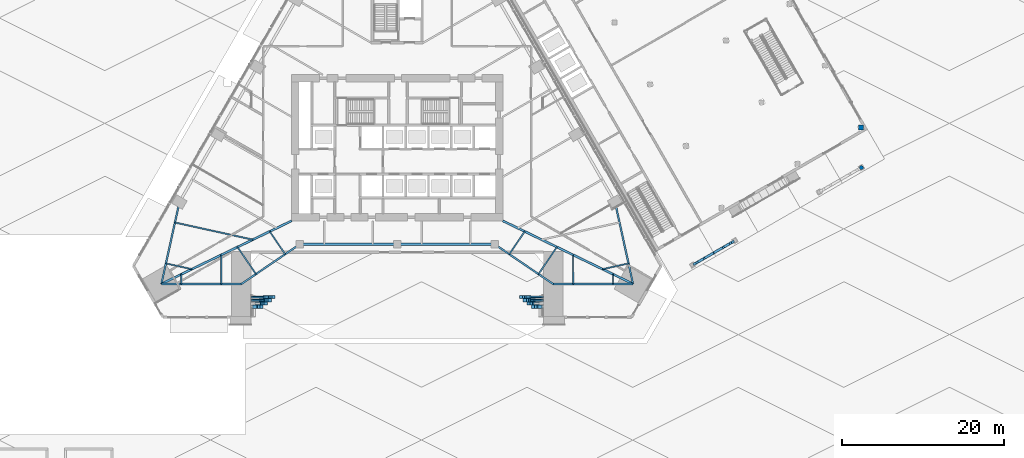
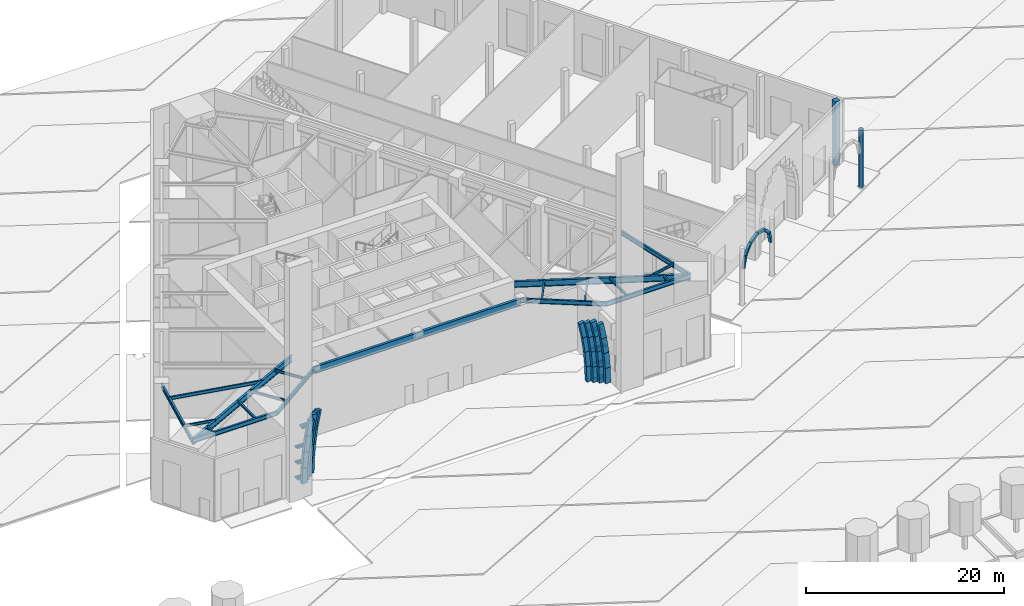
# One storey, part 4 of 34: 38 members, 36 beams, 2 columns.
"""IFC4 building model written with IfcOpenShell, lengths in metres."""

from ifc_helpers import new_model, si_unit, direction, frame, origin, origin_2d, place, context, subcontext, project, spatial, rectangle, circle, i_section, extrude, material, material_profile, profile_set, type_object, element, save


model = new_model("IFC4")

# Units and contexts
model_context = context("Model", 3, precision=1e-05, world=origin(), true_north=direction((0.0, 1.0)))
body_context = subcontext(model_context, "Body", "Model", "MODEL_VIEW")
ifc_project = project(units=[si_unit("LENGTHUNIT", "METRE"), si_unit("AREAUNIT", "SQUARE_METRE"), si_unit("VOLUMEUNIT", "CUBIC_METRE"), si_unit("PLANEANGLEUNIT", "RADIAN"), si_unit("MASSUNIT", "GRAM", prefix="KILO")], contexts=[model_context])

# Site, building, storey
site_placement = place(None, origin())
site = spatial("IfcSite", under=ifc_project, at=site_placement, CompositionType="ELEMENT")
building_placement = place(site_placement, origin())
building = spatial("IfcBuilding", under=site, at=building_placement, Name="Firuza Gate Tower and Library", CompositionType="ELEMENT")
storey_placement = place(building_placement, origin())
storey = spatial("IfcBuildingStorey", under=building, at=storey_placement, Name="L00", CompositionType="ELEMENT", Elevation=0.0)

# Columns
ifc_material_1 = material(Name="Concrete C40/50", Category="concrete")
ifc_material_profile_1 = material_profile(ifc_material_1, circle(Radius=0.25, at=origin_2d()))
ifc_profile_set_1 = profile_set([ifc_material_profile_1], Name="Concrete C40/50")
column_type_1 = type_object("IfcColumnType", Name="LIB ARCADE COLUMN D500", PredefinedType="COLUMN", material=ifc_profile_set_1)
column_1_placement = place(storey_placement, frame((132.165771484375, 72.555419921875, -0.300048828125), z_axis=(0.0, 0.0, 1.0), x_axis=(1.0, 0.0, 0.0)))
element("IfcColumn", 1, at=column_1_placement, inside=storey, type_object=column_type_1, Name="Arcade column 4", PredefinedType="COLUMN", context=body_context, shape_type="SweptSolid", body=[
    extrude(circle(Radius=0.25, at=origin_2d()), origin(), (0.0, 0.0, 1.0), 7.300048828125),
])
ifc_material_2 = material(Name="Concrete C40/50", Category="concrete")
ifc_material_profile_2 = material_profile(ifc_material_2, rectangle(XDim=0.60009765625, YDim=0.60009765625, at=origin_2d()))
ifc_profile_set_2 = profile_set([ifc_material_profile_2], Name="Concrete C40/50")
column_type_2 = type_object("IfcColumnType", Name="LIB COLUMN 600", PredefinedType="COLUMN", material=ifc_profile_set_2)
column_2_placement = place(storey_placement, frame((132.09423828125, 77.479248046875, -0.300048828125), z_axis=(0.0, 0.0, 1.0), x_axis=(1.0, 0.0, 0.0)))
element("IfcColumn", 2, at=column_2_placement, inside=storey, type_object=column_type_2, Name="Library column 1C", PredefinedType="COLUMN", context=body_context, shape_type="SweptSolid", body=[
    extrude(rectangle(XDim=0.60009765625, YDim=0.60009765625, at=origin_2d()), origin(), (0.0, 0.0, 1.0), 7.93994140625),
])

# Members
ifc_material_3 = material(Name="Concrete C60/75", Category="concrete")
ifc_material_profile_3 = material_profile(ifc_material_3, rectangle(XDim=0.39990234375, YDim=0.60009765625, at=origin_2d()))
ifc_profile_set_3 = profile_set([ifc_material_profile_3], Name="Concrete C60/75")
member_type_1 = type_object("IfcMemberType", Name="Arch rib 600x400", PredefinedType="USERDEFINED", material=ifc_profile_set_3)
member_1_placement = place(storey_placement, frame((57.300048828125, 55.415283203125, 0.0), z_axis=(0.028245981535, 0.0, 0.999601002664), x_axis=(0.0, 1.0, 0.0)))
element("IfcMember", 3, at=member_1_placement, inside=storey, type_object=member_type_1, Name="Arch rib 1.1", ObjectType="ARCH RIB", PredefinedType="USERDEFINED", context=body_context, shape_type="SweptSolid", body=[
    extrude(rectangle(XDim=0.39990234375, YDim=0.60009765625, at=origin_2d()), origin(), (0.0, 0.0, 1.0), 1.91015625),
])
member_2_placement = place(storey_placement, frame((57.35400390625, 55.415283203125, 1.909423828125), z_axis=(0.084748527605, 0.0, 0.996402372071), x_axis=(0.0, 1.0, 0.0)))
element("IfcMember", 4, at=member_2_placement, inside=storey, type_object=member_type_1, Name="Arch rib 1.2", ObjectType="ARCH RIB", PredefinedType="USERDEFINED", context=body_context, shape_type="SweptSolid", body=[
    extrude(rectangle(XDim=0.39990234375, YDim=0.60009765625, at=origin_2d()), origin(), (0.0, 0.0, 1.0), 1.909912109375),
])
for number, where, z_axis, x_axis, name in (
    (5, (57.515869140625, 55.415283203125, 3.8125), (0.140974008137, 0.0, 0.9900132974), (0.0, 1.0, 0.0), "Arch rib 1.3"),
    (6, (57.78515625, 55.415283203125, 5.70361328125), (0.196706011214, 0.0, 0.980462515934), (0.0, 1.0, 0.0), "Arch rib 1.4"),
    (7, (91.839111328125, 55.415283203125, 7.576416015625), (0.196706011214, 0.0, -0.980462515934), (0.0, 1.0, 0.0), "Arch rib 1.35"),
    (8, (92.21484375, 55.415283203125, 5.70361328125), (0.140974008137, 0.0, -0.9900132974), (0.0, 1.0, 0.0), "Arch rib 1.36"),
):
    element("IfcMember", number, at=place(storey_placement, frame(where, z_axis=z_axis, x_axis=x_axis)), inside=storey, type_object=member_type_1, Name=name, ObjectType="ARCH RIB", PredefinedType="USERDEFINED", context=body_context, shape_type="SweptSolid", body=[
        extrude(rectangle(XDim=0.39990234375, YDim=0.60009765625, at=origin_2d()), origin(), (0.0, 0.0, 1.0), 1.91015625),
    ])
member_3_placement = place(storey_placement, frame((92.484130859375, 55.415283203125, 3.8125), z_axis=(0.084748527605, 0.0, -0.996402372071), x_axis=(0.0, 1.0, 0.0)))
element("IfcMember", 9, at=member_3_placement, inside=storey, type_object=member_type_1, Name="Arch rib 1.37", ObjectType="ARCH RIB", PredefinedType="USERDEFINED", context=body_context, shape_type="SweptSolid", body=[
    extrude(rectangle(XDim=0.39990234375, YDim=0.60009765625, at=origin_2d()), origin(), (0.0, 0.0, 1.0), 1.909912109375),
])
member_4_placement = place(storey_placement, frame((92.64599609375, 55.415283203125, 1.909423828125), z_axis=(0.028245981535, 0.0, -0.999601002664), x_axis=(0.0, 1.0, 0.0)))
element("IfcMember", 10, at=member_4_placement, inside=storey, type_object=member_type_1, Name="Arch rib 1.38", ObjectType="ARCH RIB", PredefinedType="USERDEFINED", context=body_context, shape_type="SweptSolid", body=[
    extrude(rectangle(XDim=0.39990234375, YDim=0.60009765625, at=origin_2d()), origin(), (0.0, 0.0, 1.0), 1.91015625),
])
member_5_placement = place(storey_placement, frame((57.800048828125, 55.8154296875, 0.0), z_axis=(0.029551659795, 0.0, 0.999563254328), x_axis=(0.0, 1.0, 0.0)))
element("IfcMember", 11, at=member_5_placement, inside=storey, type_object=member_type_1, Name="Arch rib 2.1", ObjectType="ARCH RIB", PredefinedType="USERDEFINED", context=body_context, shape_type="SweptSolid", body=[
    extrude(rectangle(XDim=0.39990234375, YDim=0.60009765625, at=origin_2d()), origin(), (0.0, 0.0, 1.0), 1.974609375),
])
for number, where, z_axis, x_axis, name in (
    (12, (57.8583984375, 55.8154296875, 1.9736328125), (0.088539790284, 0.0, 0.996072640693), (0.0, 1.0, 0.0), "Arch rib 2.2"),
    (13, (58.033203125, 55.8154296875, 3.940185546875), (0.147391089325, 0.0, 0.989078291536), (0.0, 1.0, 0.0), "Arch rib 2.3"),
    (14, (58.32421875, 55.8154296875, 5.89306640625), (0.205524340546, 0.0, 0.978652004261), (0.0, 1.0, 0.0), "Arch rib 2.4"),
    (15, (91.27001953125, 55.8154296875, 7.8251953125), (0.205524340546, 0.0, -0.978652004261), (0.0, 1.0, 0.0), "Arch rib 2.33"),
    (16, (91.67578125, 55.8154296875, 5.89306640625), (0.147391089325, 0.0, -0.989078291536), (0.0, 1.0, 0.0), "Arch rib 2.34"),
    (17, (91.966796875, 55.8154296875, 3.940185546875), (0.088539790284, 0.0, -0.996072640693), (0.0, 1.0, 0.0), "Arch rib 2.35"),
):
    element("IfcMember", number, at=place(storey_placement, frame(where, z_axis=z_axis, x_axis=x_axis)), inside=storey, type_object=member_type_1, Name=name, ObjectType="ARCH RIB", PredefinedType="USERDEFINED", context=body_context, shape_type="SweptSolid", body=[
        extrude(rectangle(XDim=0.39990234375, YDim=0.60009765625, at=origin_2d()), origin(), (0.0, 0.0, 1.0), 1.974365234375),
    ])
member_6_placement = place(storey_placement, frame((92.1416015625, 55.8154296875, 1.9736328125), z_axis=(0.029551659795, 0.0, -0.999563254328), x_axis=(0.0, 1.0, 0.0)))
element("IfcMember", 18, at=member_6_placement, inside=storey, type_object=member_type_1, Name="Arch rib 2.36", ObjectType="ARCH RIB", PredefinedType="USERDEFINED", context=body_context, shape_type="SweptSolid", body=[
    extrude(rectangle(XDim=0.39990234375, YDim=0.60009765625, at=origin_2d()), origin(), (0.0, 0.0, 1.0), 1.974609375),
])
for number, where, z_axis, x_axis, name in (
    (19, (58.300048828125, 56.21533203125, 0.0), (0.029306249371, 0.0, 0.99957047963), (0.0, 1.0, 0.0), "Arch rib 3.1"),
    (20, (58.356689453125, 56.21533203125, 1.931884765625), (0.087665241448, 0.0, 0.996149991438), (0.0, 1.0, 0.0), "Arch rib 3.2"),
    (21, (58.526123046875, 56.21533203125, 3.857177734375), (0.145912228086, 0.0, 0.989297539517), (0.0, 1.0, 0.0), "Arch rib 3.3"),
):
    element("IfcMember", number, at=place(storey_placement, frame(where, z_axis=z_axis, x_axis=x_axis)), inside=storey, type_object=member_type_1, Name=name, ObjectType="ARCH RIB", PredefinedType="USERDEFINED", context=body_context, shape_type="SweptSolid", body=[
        extrude(rectangle(XDim=0.39990234375, YDim=0.60009765625, at=origin_2d()), origin(), (0.0, 0.0, 1.0), 1.9326171875),
    ])
for number, where, z_axis, x_axis, name in (
    (22, (58.80810546875, 56.21533203125, 5.76904296875), (0.203495206201, 0.0, 0.979075942434), (0.0, 1.0, 0.0), "Arch rib 3.4"),
    (23, (90.798583984375, 56.21533203125, 7.661376953125), (0.203495206201, 0.0, -0.979075942434), (0.0, 1.0, 0.0), "Arch rib 3.33"),
):
    element("IfcMember", number, at=place(storey_placement, frame(where, z_axis=z_axis, x_axis=x_axis)), inside=storey, type_object=member_type_1, Name=name, ObjectType="ARCH RIB", PredefinedType="USERDEFINED", context=body_context, shape_type="SweptSolid", body=[
        extrude(rectangle(XDim=0.39990234375, YDim=0.60009765625, at=origin_2d()), origin(), (0.0, 0.0, 1.0), 1.932861328125),
    ])
for number, where, z_axis, x_axis, name in (
    (24, (91.19189453125, 56.21533203125, 5.76904296875), (0.145912228086, 0.0, -0.989297539517), (0.0, 1.0, 0.0), "Arch rib 3.34"),
    (25, (91.473876953125, 56.21533203125, 3.857177734375), (0.087665241448, 0.0, -0.996149991438), (0.0, 1.0, 0.0), "Arch rib 3.35"),
    (26, (91.643310546875, 56.21533203125, 1.931884765625), (0.029306249371, 0.0, -0.99957047963), (0.0, 1.0, 0.0), "Arch rib 3.36"),
):
    element("IfcMember", number, at=place(storey_placement, frame(where, z_axis=z_axis, x_axis=x_axis)), inside=storey, type_object=member_type_1, Name=name, ObjectType="ARCH RIB", PredefinedType="USERDEFINED", context=body_context, shape_type="SweptSolid", body=[
        extrude(rectangle(XDim=0.39990234375, YDim=0.60009765625, at=origin_2d()), origin(), (0.0, 0.0, 1.0), 1.9326171875),
    ])
member_7_placement = place(storey_placement, frame((58.800048828125, 56.615478515625, 0.0), z_axis=(0.028917257541, 0.0, 0.999581808666), x_axis=(0.0, 1.0, 0.0)))
element("IfcMember", 27, at=member_7_placement, inside=storey, type_object=member_type_1, Name="Arch rib 4.1", ObjectType="ARCH RIB", PredefinedType="USERDEFINED", context=body_context, shape_type="SweptSolid", body=[
    extrude(rectangle(XDim=0.39990234375, YDim=0.60009765625, at=origin_2d()), origin(), (0.0, 0.0, 1.0), 1.89111328125),
])
member_8_placement = place(storey_placement, frame((58.854736328125, 56.615478515625, 1.890380859375), z_axis=(0.086763330178, 0.0, 0.996228951866), x_axis=(0.0, 1.0, 0.0)))
element("IfcMember", 28, at=member_8_placement, inside=storey, type_object=member_type_1, Name="Arch rib 4.2", ObjectType="ARCH RIB", PredefinedType="USERDEFINED", context=body_context, shape_type="SweptSolid", body=[
    extrude(rectangle(XDim=0.39990234375, YDim=0.60009765625, at=origin_2d()), origin(), (0.0, 0.0, 1.0), 1.890869140625),
])
for number, where, z_axis, x_axis, name in (
    (29, (59.018798828125, 56.615478515625, 3.774169921875), (0.144330594671, 0.0, 0.98952952429), (0.0, 1.0, 0.0), "Arch rib 4.3"),
    (30, (59.291748046875, 56.615478515625, 5.6455078125), (0.20140156385, 0.0, 0.979508759572), (0.0, 1.0, 0.0), "Arch rib 4.4"),
    (31, (90.327392578125, 56.615478515625, 7.497802734375), (0.20140156385, 0.0, -0.979508759572), (0.0, 1.0, 0.0), "Arch rib 4.33"),
    (32, (90.708251953125, 56.615478515625, 5.6455078125), (0.144330594671, 0.0, -0.98952952429), (0.0, 1.0, 0.0), "Arch rib 4.34"),
):
    element("IfcMember", number, at=place(storey_placement, frame(where, z_axis=z_axis, x_axis=x_axis)), inside=storey, type_object=member_type_1, Name=name, ObjectType="ARCH RIB", PredefinedType="USERDEFINED", context=body_context, shape_type="SweptSolid", body=[
        extrude(rectangle(XDim=0.39990234375, YDim=0.60009765625, at=origin_2d()), origin(), (0.0, 0.0, 1.0), 1.89111328125),
    ])
member_9_placement = place(storey_placement, frame((90.981201171875, 56.615478515625, 3.774169921875), z_axis=(0.086763330178, 0.0, -0.996228951866), x_axis=(0.0, 1.0, 0.0)))
element("IfcMember", 33, at=member_9_placement, inside=storey, type_object=member_type_1, Name="Arch rib 4.35", ObjectType="ARCH RIB", PredefinedType="USERDEFINED", context=body_context, shape_type="SweptSolid", body=[
    extrude(rectangle(XDim=0.39990234375, YDim=0.60009765625, at=origin_2d()), origin(), (0.0, 0.0, 1.0), 1.890869140625),
])
member_10_placement = place(storey_placement, frame((91.145263671875, 56.615478515625, 1.890380859375), z_axis=(0.028917257541, 0.0, -0.999581808666), x_axis=(0.0, 1.0, 0.0)))
element("IfcMember", 34, at=member_10_placement, inside=storey, type_object=member_type_1, Name="Arch rib 4.36", ObjectType="ARCH RIB", PredefinedType="USERDEFINED", context=body_context, shape_type="SweptSolid", body=[
    extrude(rectangle(XDim=0.39990234375, YDim=0.60009765625, at=origin_2d()), origin(), (0.0, 0.0, 1.0), 1.89111328125),
])

# Beams
ifc_material_4 = material(Name="Concrete C60/75", Category="concrete")
ifc_material_profile_4 = material_profile(ifc_material_4, rectangle(XDim=0.199951171875, YDim=0.199951171875, at=origin_2d()))
ifc_profile_set_4 = profile_set([ifc_material_profile_4], Name="Concrete C60/75")
beam_type_1 = type_object("IfcBeamType", Name="Arch rib bracket 200x200", PredefinedType="BEAM", material=ifc_profile_set_4)
beam_1_placement = place(storey_placement, frame((57.0, 56.21533203125, 0.050048828125), z_axis=(1.0, 0.0, 0.0), x_axis=(0.0, 1.0, 0.0)))
element("IfcBeam", 35, at=beam_1_placement, inside=storey, type_object=beam_type_1, Name="Arch rib bracket 3.1", PredefinedType="BEAM", context=body_context, shape_type="SweptSolid", body=[
    extrude(rectangle(XDim=0.199951171875, YDim=0.199951171875, at=origin_2d()), origin(), (0.0, 0.0, 1.0), 1.01123046875),
])
beam_2_placement = place(storey_placement, frame((57.0, 56.21533203125, 1.98193359375), z_axis=(1.0, 0.0, 0.0), x_axis=(0.0, 1.0, 0.0)))
element("IfcBeam", 36, at=beam_2_placement, inside=storey, type_object=beam_type_1, Name="Arch rib bracket 3.2", PredefinedType="BEAM", context=body_context, shape_type="SweptSolid", body=[
    extrude(rectangle(XDim=0.199951171875, YDim=0.199951171875, at=origin_2d()), origin(), (0.0, 0.0, 1.0), 1.06982421875),
])
beam_3_placement = place(storey_placement, frame((57.0, 56.21533203125, 3.906982421875), z_axis=(1.0, 0.0, 0.0), x_axis=(0.0, 1.0, 0.0)))
element("IfcBeam", 37, at=beam_3_placement, inside=storey, type_object=beam_type_1, Name="Arch rib bracket 3.3", PredefinedType="BEAM", context=body_context, shape_type="SweptSolid", body=[
    extrude(rectangle(XDim=0.199951171875, YDim=0.199951171875, at=origin_2d()), origin(), (0.0, 0.0, 1.0), 1.240234375),
])
for number, where, z_axis, x_axis, name in (
    (38, (57.53955078125, 56.21533203125, 6.177490234375), (1.0, 0.0, 0.0), (0.0, 1.0, 0.0), "Arch rib bracket 3.4"),
    (39, (92.46044921875, 56.21533203125, 6.177490234375), (-1.0, 0.0, 0.0), (0.0, -1.0, 0.0), "Arch rib bracket 3.33"),
):
    element("IfcBeam", number, at=place(storey_placement, frame(where, z_axis=z_axis, x_axis=x_axis)), inside=storey, type_object=beam_type_1, Name=name, PredefinedType="BEAM", context=body_context, shape_type="SweptSolid", body=[
        extrude(rectangle(XDim=0.199951171875, YDim=0.199951171875, at=origin_2d()), origin(), (0.0, 0.0, 1.0), 1.056884765625),
    ])
beam_4_placement = place(storey_placement, frame((93.0, 56.21533203125, 3.906982421875), z_axis=(-1.0, 0.0, 0.0), x_axis=(0.0, -1.0, 0.0)))
element("IfcBeam", 40, at=beam_4_placement, inside=storey, type_object=beam_type_1, Name="Arch rib bracket 3.34", PredefinedType="BEAM", context=body_context, shape_type="SweptSolid", body=[
    extrude(rectangle(XDim=0.199951171875, YDim=0.199951171875, at=origin_2d()), origin(), (0.0, 0.0, 1.0), 1.240234375),
])
beam_5_placement = place(storey_placement, frame((93.0, 56.21533203125, 1.98193359375), z_axis=(-1.0, 0.0, 0.0), x_axis=(0.0, -1.0, 0.0)))
element("IfcBeam", 41, at=beam_5_placement, inside=storey, type_object=beam_type_1, Name="Arch rib bracket 3.35", PredefinedType="BEAM", context=body_context, shape_type="SweptSolid", body=[
    extrude(rectangle(XDim=0.199951171875, YDim=0.199951171875, at=origin_2d()), origin(), (0.0, 0.0, 1.0), 1.06982421875),
])
beam_6_placement = place(storey_placement, frame((93.0, 56.21533203125, 0.050048828125), z_axis=(-1.0, 0.0, 0.0), x_axis=(0.0, -1.0, 0.0)))
element("IfcBeam", 42, at=beam_6_placement, inside=storey, type_object=beam_type_1, Name="Arch rib bracket 3.36", PredefinedType="BEAM", context=body_context, shape_type="SweptSolid", body=[
    extrude(rectangle(XDim=0.199951171875, YDim=0.199951171875, at=origin_2d()), origin(), (0.0, 0.0, 1.0), 1.01123046875),
])
beam_7_placement = place(storey_placement, frame((57.0, 56.615478515625, 0.050048828125), z_axis=(1.0, 0.0, 0.0), x_axis=(0.0, 1.0, 0.0)))
element("IfcBeam", 43, at=beam_7_placement, inside=storey, type_object=beam_type_1, Name="Arch rib bracket 4.1", PredefinedType="BEAM", context=body_context, shape_type="SweptSolid", body=[
    extrude(rectangle(XDim=0.199951171875, YDim=0.199951171875, at=origin_2d()), origin(), (0.0, 0.0, 1.0), 1.51123046875),
])
beam_8_placement = place(storey_placement, frame((57.0, 56.615478515625, 1.940185546875), z_axis=(1.0, 0.0, 0.0), x_axis=(0.0, 1.0, 0.0)))
element("IfcBeam", 44, at=beam_8_placement, inside=storey, type_object=beam_type_1, Name="Arch rib bracket 4.2", PredefinedType="BEAM", context=body_context, shape_type="SweptSolid", body=[
    extrude(rectangle(XDim=0.199951171875, YDim=0.199951171875, at=origin_2d()), origin(), (0.0, 0.0, 1.0), 1.568115234375),
])
beam_9_placement = place(storey_placement, frame((57.0, 56.615478515625, 3.82421875), z_axis=(1.0, 0.0, 0.0), x_axis=(0.0, 1.0, 0.0)))
element("IfcBeam", 45, at=beam_9_placement, inside=storey, type_object=beam_type_1, Name="Arch rib bracket 4.3", PredefinedType="BEAM", context=body_context, shape_type="SweptSolid", body=[
    extrude(rectangle(XDim=0.199951171875, YDim=0.199951171875, at=origin_2d()), origin(), (0.0, 0.0, 1.0), 1.73291015625),
])
for number, where, z_axis, x_axis, name in (
    (46, (57.53955078125, 56.615478515625, 6.22119140625), (1.0, 0.0, 0.0), (0.0, 1.0, 0.0), "Arch rib bracket 4.4"),
    (47, (92.46044921875, 56.615478515625, 6.22119140625), (-1.0, 0.0, 0.0), (0.0, -1.0, 0.0), "Arch rib bracket 4.33"),
):
    element("IfcBeam", number, at=place(storey_placement, frame(where, z_axis=z_axis, x_axis=x_axis)), inside=storey, type_object=beam_type_1, Name=name, PredefinedType="BEAM", context=body_context, shape_type="SweptSolid", body=[
        extrude(rectangle(XDim=0.199951171875, YDim=0.199951171875, at=origin_2d()), origin(), (0.0, 0.0, 1.0), 1.574462890625),
    ])
beam_10_placement = place(storey_placement, frame((93.0, 56.615478515625, 3.82421875), z_axis=(-1.0, 0.0, 0.0), x_axis=(0.0, -1.0, 0.0)))
element("IfcBeam", 48, at=beam_10_placement, inside=storey, type_object=beam_type_1, Name="Arch rib bracket 4.34", PredefinedType="BEAM", context=body_context, shape_type="SweptSolid", body=[
    extrude(rectangle(XDim=0.199951171875, YDim=0.199951171875, at=origin_2d()), origin(), (0.0, 0.0, 1.0), 1.73291015625),
])
beam_11_placement = place(storey_placement, frame((93.0, 56.615478515625, 1.940185546875), z_axis=(-1.0, 0.0, 0.0), x_axis=(0.0, -1.0, 0.0)))
element("IfcBeam", 49, at=beam_11_placement, inside=storey, type_object=beam_type_1, Name="Arch rib bracket 4.35", PredefinedType="BEAM", context=body_context, shape_type="SweptSolid", body=[
    extrude(rectangle(XDim=0.199951171875, YDim=0.199951171875, at=origin_2d()), origin(), (0.0, 0.0, 1.0), 1.568115234375),
])
beam_12_placement = place(storey_placement, frame((93.0, 56.615478515625, 0.050048828125), z_axis=(-1.0, 0.0, 0.0), x_axis=(0.0, -1.0, 0.0)))
element("IfcBeam", 50, at=beam_12_placement, inside=storey, type_object=beam_type_1, Name="Arch rib bracket 4.36", PredefinedType="BEAM", context=body_context, shape_type="SweptSolid", body=[
    extrude(rectangle(XDim=0.199951171875, YDim=0.199951171875, at=origin_2d()), origin(), (0.0, 0.0, 1.0), 1.51123046875),
])

# Members
ifc_material_5 = material(Name="Concrete C40/50", Category="concrete")
ifc_material_profile_5 = material_profile(ifc_material_5, rectangle(XDim=0.300048828125, YDim=0.300048828125, at=origin_2d()))
ifc_profile_set_5 = profile_set([ifc_material_profile_5], Name="Concrete C40/50")
member_type_2 = type_object("IfcMemberType", Name="LIB ARCADE ARCH 300", PredefinedType="USERDEFINED", material=ifc_profile_set_5)
for number, where, z_axis, x_axis, name in (
    (51, (111.59765625, 60.680419921875, 4.199951171875), (0.229302579248, 0.132296635942, 0.964322522432), (-0.499741403371, 0.866174653149, 0.0), "Arcade arch 1.1"),
    (52, (111.919677734375, 60.8662109375, 5.55419921875), (0.623626266203, 0.360058543994, 0.693864630169), (-0.500008073096, 0.86602074273, 0.0), "Arcade arch 1.2"),
    (53, (112.79541015625, 61.371826171875, 6.528564453125), (0.842988374049, 0.486774066269, 0.228957659027), (-0.50005739987, 0.865992261418, 0.0), "Arcade arch 1.3"),
    (54, (113.979248046875, 62.055419921875, 6.85009765625), (0.843059707951, 0.486641394629, -0.228977033486), (-0.499923448233, 0.866069596457, 0.0), "Arcade arch 1.4"),
    (55, (115.1630859375, 62.73876953125, 6.528564453125), (0.623626266203, 0.360058543994, -0.693864630169), (-0.500008073096, 0.86602074273, 0.0), "Arcade arch 1.5"),
    (56, (116.038818359375, 63.244384765625, 5.55419921875), (0.229132590688, 0.132472711763, -0.964338756103), (-0.50051833371, 0.865725936784, 0.0), "Arcade arch 1.6"),
):
    element("IfcMember", number, at=place(storey_placement, frame(where, z_axis=z_axis, x_axis=x_axis)), inside=storey, type_object=member_type_2, Name=name, ObjectType="ARCADE ARCH", PredefinedType="USERDEFINED", context=body_context, shape_type="SweptSolid", body=[
        extrude(rectangle(XDim=0.300048828125, YDim=0.300048828125, at=origin_2d()), origin(), (0.0, 0.0, 1.0), 1.404296875),
    ])

# Beams
ifc_material_6 = material(Name="Steel S355", Category="steel")
ifc_material_profile_6 = material_profile(ifc_material_6, i_section(OverallWidth=0.1650390625, OverallDepth=0.31005859375, WebThickness=0.005859375, FlangeThickness=0.009765625, at=origin_2d()))
ifc_profile_set_6 = profile_set([ifc_material_profile_6], Name="Steel S355")
beam_type_2 = type_object("IfcBeamType", Name="W310x39 Floor beam", PredefinedType="JOIST", material=ifc_profile_set_6)
beam_13_placement = place(storey_placement, frame((46.513916015625, 60.75341796875, 7.544921875), z_axis=(0.976601243751, -0.215058156564, 0.0), x_axis=(0.215058156564, 0.976601243751, 0.0)))
element("IfcBeam", 57, at=beam_13_placement, inside=storey, type_object=beam_type_2, Name="Floor beam L00 s01", PredefinedType="JOIST", context=body_context, shape_type="SweptSolid", body=[
    extrude(i_section(OverallWidth=0.1650390625, OverallDepth=0.31005859375, WebThickness=0.005859375, FlangeThickness=0.009765625, at=origin_2d()), origin(), (0.0, 0.0, 1.0), 3.27294921875),
])
beam_14_placement = place(storey_placement, frame((48.419189453125, 58.228759765625, 7.544921875), z_axis=(0.00183635683, 0.999998313895, 0.0), x_axis=(-0.999998313895, 0.00183635683, 0.0)))
element("IfcBeam", 58, at=beam_14_placement, inside=storey, type_object=beam_type_2, Name="Floor beam L00 s10", PredefinedType="JOIST", context=body_context, shape_type="SweptSolid", body=[
    extrude(i_section(OverallWidth=0.1650390625, OverallDepth=0.31005859375, WebThickness=0.005859375, FlangeThickness=0.009765625, at=origin_2d()), origin(), (0.0, 0.0, 1.0), 1.196533203125),
])
beam_15_placement = place(storey_placement, frame((53.339599609375, 58.2197265625, 7.544921875), z_axis=(0.001836107072, 0.999998314354, 0.0), x_axis=(-0.999998314354, 0.001836107072, 0.0)))
element("IfcBeam", 59, at=beam_15_placement, inside=storey, type_object=beam_type_2, Name="Floor beam L00 s11", PredefinedType="JOIST", context=body_context, shape_type="SweptSolid", body=[
    extrude(i_section(OverallWidth=0.1650390625, OverallDepth=0.31005859375, WebThickness=0.005859375, FlangeThickness=0.009765625, at=origin_2d()), origin(), (0.0, 0.0, 1.0), 3.590087890625),
])
beam_16_placement = place(storey_placement, frame((57.60009765625, 59.4404296875, 7.544921875), z_axis=(-0.562657973934, 0.826689787265, 0.0), x_axis=(-0.826689787265, -0.562657973934, 0.0)))
element("IfcBeam", 60, at=beam_16_placement, inside=storey, type_object=beam_type_2, Name="Floor beam L00 s20", PredefinedType="JOIST", context=body_context, shape_type="SweptSolid", body=[
    extrude(i_section(OverallWidth=0.1650390625, OverallDepth=0.31005859375, WebThickness=0.005859375, FlangeThickness=0.009765625, at=origin_2d()), origin(), (0.0, 0.0, 1.0), 4.02978515625),
])
for number, where, z_axis, x_axis, name in (
    (61, (61.199951171875, 61.890380859375, 7.544921875), (-0.562593933168, 0.826733370781, 0.0), (-0.826733370781, -0.562593933168, 0.0), "Floor beam L00 s21"),
    (62, (88.800048828125, 61.890380859375, 7.544921875), (0.562593933168, 0.826733370781, 0.0), (-0.826733370781, 0.562593933168, 0.0), "Floor beam L00 s40"),
):
    element("IfcBeam", number, at=place(storey_placement, frame(where, z_axis=z_axis, x_axis=x_axis)), inside=storey, type_object=beam_type_2, Name=name, PredefinedType="JOIST", context=body_context, shape_type="SweptSolid", body=[
        extrude(i_section(OverallWidth=0.1650390625, OverallDepth=0.31005859375, WebThickness=0.005859375, FlangeThickness=0.009765625, at=origin_2d()), origin(), (0.0, 0.0, 1.0), 3.386474609375),
    ])
beam_17_placement = place(storey_placement, frame((92.39990234375, 59.4404296875, 7.544921875), z_axis=(0.562657973934, 0.826689787265, 0.0), x_axis=(-0.826689787265, 0.562657973934, 0.0)))
element("IfcBeam", 63, at=beam_17_placement, inside=storey, type_object=beam_type_2, Name="Floor beam L00 s41", PredefinedType="JOIST", context=body_context, shape_type="SweptSolid", body=[
    extrude(i_section(OverallWidth=0.1650390625, OverallDepth=0.31005859375, WebThickness=0.005859375, FlangeThickness=0.009765625, at=origin_2d()), origin(), (0.0, 0.0, 1.0), 4.02978515625),
])
beam_18_placement = place(storey_placement, frame((96.660400390625, 58.2197265625, 7.544921875), z_axis=(-0.001836107072, 0.999998314354, 0.0), x_axis=(-0.999998314354, -0.001836107072, 0.0)))
element("IfcBeam", 64, at=beam_18_placement, inside=storey, type_object=beam_type_2, Name="Floor beam L00 s50", PredefinedType="JOIST", context=body_context, shape_type="SweptSolid", body=[
    extrude(i_section(OverallWidth=0.1650390625, OverallDepth=0.31005859375, WebThickness=0.005859375, FlangeThickness=0.009765625, at=origin_2d()), origin(), (0.0, 0.0, 1.0), 3.590087890625),
])
beam_19_placement = place(storey_placement, frame((101.580810546875, 58.228759765625, 7.544921875), z_axis=(-0.00183635683, 0.999998313895, 0.0), x_axis=(-0.999998313895, -0.00183635683, 0.0)))
element("IfcBeam", 65, at=beam_19_placement, inside=storey, type_object=beam_type_2, Name="Floor beam L00 s51", PredefinedType="JOIST", context=body_context, shape_type="SweptSolid", body=[
    extrude(i_section(OverallWidth=0.1650390625, OverallDepth=0.31005859375, WebThickness=0.005859375, FlangeThickness=0.009765625, at=origin_2d()), origin(), (0.0, 0.0, 1.0), 1.196533203125),
])
beam_20_placement = place(storey_placement, frame((103.486083984375, 60.75341796875, 7.544921875), z_axis=(-0.976601243751, -0.215058156564, 0.0), x_axis=(0.215058156564, -0.976601243751, 0.0)))
element("IfcBeam", 66, at=beam_20_placement, inside=storey, type_object=beam_type_2, Name="Floor beam L00 s60", PredefinedType="JOIST", context=body_context, shape_type="SweptSolid", body=[
    extrude(i_section(OverallWidth=0.1650390625, OverallDepth=0.31005859375, WebThickness=0.005859375, FlangeThickness=0.009765625, at=origin_2d()), origin(), (0.0, 0.0, 1.0), 3.27294921875),
])
ifc_material_7 = material(Name="Steel S355", Category="steel")
ifc_material_profile_7 = material_profile(ifc_material_7, i_section(OverallWidth=0.177978515625, OverallDepth=0.406982421875, WebThickness=0.0078125, FlangeThickness=0.0126953125, at=origin_2d()))
ifc_profile_set_7 = profile_set([ifc_material_profile_7], Name="Steel S355")
beam_type_3 = type_object("IfcBeamType", Name="W410x60 Floor beam", PredefinedType="JOIST", material=ifc_profile_set_7)
beam_21_placement = place(storey_placement, frame((47.624267578125, 65.794189453125, 7.49658203125), z_axis=(0.97658964753, -0.215110809441, 0.0), x_axis=(0.215110809441, 0.97658964753, 0.0)))
element("IfcBeam", 67, at=beam_21_placement, inside=storey, type_object=beam_type_3, Name="Floor beam L00 s00", PredefinedType="JOIST", context=body_context, shape_type="SweptSolid", body=[
    extrude(i_section(OverallWidth=0.177978515625, OverallDepth=0.406982421875, WebThickness=0.0078125, FlangeThickness=0.0126953125, at=origin_2d()), origin(), (0.0, 0.0, 1.0), 9.818359375),
])
ifc_material_8 = material(Name="Steel S355", Category="steel")
ifc_material_profile_8 = material_profile(ifc_material_8, i_section(OverallWidth=0.212890625, OverallDepth=0.5390625, WebThickness=0.01171875, FlangeThickness=0.018798828125, at=origin_2d()))
ifc_profile_set_8 = profile_set([ifc_material_profile_8], Name="Steel S355")
beam_type_4 = type_object("IfcBeamType", Name="W530x109 Edge beam", PredefinedType="SPANDREL", material=ifc_profile_set_8)
beam_22_placement = place(storey_placement, frame((48.179443359375, 68.314697265625, 7.430419921875), z_axis=(-0.215117130091, -0.976588255275, 0.0), x_axis=(0.976588255275, -0.215117130091, 0.0)))
element("IfcBeam", 68, at=beam_22_placement, inside=storey, type_object=beam_type_4, Name="Edge beam L00 e00", PredefinedType="SPANDREL", context=body_context, shape_type="SweptSolid", body=[
    extrude(i_section(OverallWidth=0.212890625, OverallDepth=0.5390625, WebThickness=0.01171875, FlangeThickness=0.018798828125, at=origin_2d()), origin(), (0.0, 0.0, 1.0), 10.3232421875),
])
beam_23_placement = place(storey_placement, frame((45.958740234375, 58.233154296875, 7.430419921875), z_axis=(0.999998360207, -0.001810962051, 0.0), x_axis=(0.001810962051, 0.999998360207, 0.0)))
element("IfcBeam", 69, at=beam_23_placement, inside=storey, type_object=beam_type_4, Name="Edge beam L00 e10", PredefinedType="SPANDREL", context=body_context, shape_type="SweptSolid", body=[
    extrude(i_section(OverallWidth=0.212890625, OverallDepth=0.5390625, WebThickness=0.01171875, FlangeThickness=0.018798828125, at=origin_2d()), origin(), (0.0, 0.0, 1.0), 9.84130859375),
])
for number, where, z_axis, x_axis, name in (
    (70, (55.800048828125, 58.21533203125, 7.430419921875), (0.826703281934, 0.562638146272, 0.0), (-0.562638146272, 0.826703281934, 0.0), "Edge beam L00 e20"),
    (71, (87.0, 63.115478515625, 7.430419921875), (0.826703281934, -0.562638146272, 0.0), (0.562638146272, 0.826703281934, 0.0), "Edge beam L00 e40"),
):
    element("IfcBeam", number, at=place(storey_placement, frame(where, z_axis=z_axis, x_axis=x_axis)), inside=storey, type_object=beam_type_4, Name=name, PredefinedType="SPANDREL", context=body_context, shape_type="SweptSolid", body=[
        extrude(i_section(OverallWidth=0.212890625, OverallDepth=0.5390625, WebThickness=0.01171875, FlangeThickness=0.018798828125, at=origin_2d()), origin(), (0.0, 0.0, 1.0), 8.709228515625),
    ])
beam_24_placement = place(storey_placement, frame((94.199951171875, 58.21533203125, 7.430419921875), z_axis=(0.999998360207, 0.001810962051, 0.0), x_axis=(-0.001810962051, 0.999998360207, 0.0)))
element("IfcBeam", 72, at=beam_24_placement, inside=storey, type_object=beam_type_4, Name="Edge beam L00 e50", PredefinedType="SPANDREL", context=body_context, shape_type="SweptSolid", body=[
    extrude(i_section(OverallWidth=0.212890625, OverallDepth=0.5390625, WebThickness=0.01171875, FlangeThickness=0.018798828125, at=origin_2d()), origin(), (0.0, 0.0, 1.0), 9.84130859375),
])
beam_25_placement = place(storey_placement, frame((104.041259765625, 58.233154296875, 7.430419921875), z_axis=(-0.215117130091, 0.976588255275, 0.0), x_axis=(-0.976588255275, -0.215117130091, 0.0)))
element("IfcBeam", 73, at=beam_25_placement, inside=storey, type_object=beam_type_4, Name="Edge beam L00 e60", PredefinedType="SPANDREL", context=body_context, shape_type="SweptSolid", body=[
    extrude(i_section(OverallWidth=0.212890625, OverallDepth=0.5390625, WebThickness=0.01171875, FlangeThickness=0.018798828125, at=origin_2d()), origin(), (0.0, 0.0, 1.0), 10.3232421875),
])
ifc_material_9 = material(Name="Steel S355", Category="steel")
ifc_material_profile_9 = material_profile(ifc_material_9, i_section(OverallWidth=0.264892578125, OverallDepth=0.7529296875, WebThickness=0.01318359375, FlangeThickness=0.01708984375, at=origin_2d()))
ifc_profile_set_9 = profile_set([ifc_material_profile_9], Name="Steel S355")
beam_type_5 = type_object("IfcBeamType", Name="W760x147 Girder", PredefinedType="BEAM", material=ifc_profile_set_9)
for number, where, z_axis, x_axis, name in (
    (74, (45.958740234375, 58.233154296875, 7.323486328125), (0.900050421894, 0.43578577082, 0.0), (-0.43578577082, 0.900050421894, 0.0), "Girder L00 gSW"),
    (75, (104.041259765625, 58.233154296875, 7.323486328125), (-0.900050421894, 0.43578577082, 0.0), (-0.43578577082, -0.900050421894, 0.0), "Girder L00 gSE"),
):
    element("IfcBeam", number, at=place(storey_placement, frame(where, z_axis=z_axis, x_axis=x_axis)), inside=storey, type_object=beam_type_5, Name=name, PredefinedType="BEAM", context=body_context, shape_type="SweptSolid", body=[
        extrude(i_section(OverallWidth=0.264892578125, OverallDepth=0.7529296875, WebThickness=0.01318359375, FlangeThickness=0.01708984375, at=origin_2d()), origin(), (0.0, 0.0, 1.0), 17.822509765625),
    ])
ifc_material_10 = material(Name="Steel S355", Category="steel")
ifc_material_profile_10 = material_profile(ifc_material_10, i_section(OverallWidth=0.2919921875, OverallDepth=0.8349609375, WebThickness=0.013916015625, FlangeThickness=0.018798828125, at=origin_2d()))
ifc_profile_set_10 = profile_set([ifc_material_profile_10], Name="Steel S355")
beam_type_6 = type_object("IfcBeamType", Name="W840x176 Edge beam", PredefinedType="SPANDREL", material=ifc_profile_set_10)
beam_26_placement = place(storey_placement, frame((63.0, 63.115478515625, 7.282470703125), z_axis=(1.0, 0.0, 0.0), x_axis=(0.0, 1.0, 0.0)))
element("IfcBeam", 76, at=beam_26_placement, inside=storey, type_object=beam_type_6, Name="Edge beam L00 e30", PredefinedType="SPANDREL", context=body_context, shape_type="SweptSolid", body=[
    extrude(i_section(OverallWidth=0.2919921875, OverallDepth=0.8349609375, WebThickness=0.013916015625, FlangeThickness=0.018798828125, at=origin_2d()), origin(), (0.0, 0.0, 1.0), 24.0),
])

save(model, "model.ifc")
